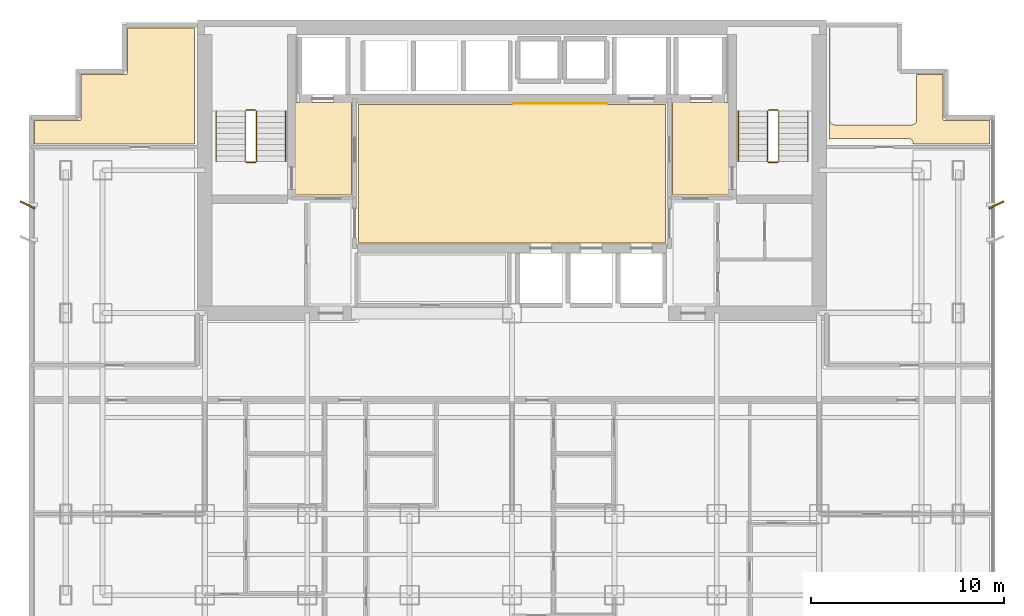
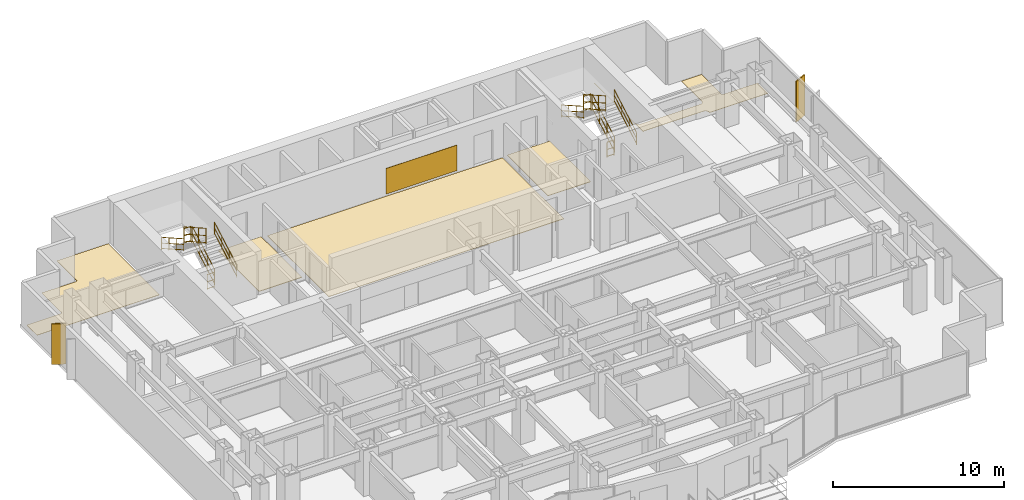
# One storey, part 12 of 12: 12 railings, 6 coverings, 2 shading devices.
"""IFC4 building model written with IfcOpenShell, lengths in metres."""

from ifc_helpers import new_model, si_unit, direction, frame, origin, origin_2d, place, context, subcontext, project, spatial, polyline, rectangle, circle, outline, extrude, source, transform, mapped, material, layer, layer_set, type_object, element, save


model = new_model("IFC4")

# Units and contexts
model_context = context("Model", 3, precision=1e-05, world=origin(), true_north=direction((0.0, 1.0)))
body_context = subcontext(model_context, "Body", "Model", "MODEL_VIEW")
ifc_project = project(units=[si_unit("LENGTHUNIT", "METRE"), si_unit("AREAUNIT", "SQUARE_METRE"), si_unit("VOLUMEUNIT", "CUBIC_METRE"), si_unit("PLANEANGLEUNIT", "RADIAN"), si_unit("MASSUNIT", "GRAM", prefix="KILO")], contexts=[model_context])

# Site, building, storey
site_placement = place(None, origin())
site = spatial("IfcSite", under=ifc_project, at=site_placement, CompositionType="ELEMENT")
building_placement = place(site_placement, origin())
building = spatial("IfcBuilding", under=site, at=building_placement, Name="Qianlan Lanfeng Residences", CompositionType="ELEMENT")
storey_placement = place(building_placement, frame((0.0, 0.0, 85.0)))
storey = spatial("IfcBuildingStorey", under=building, at=storey_placement, Name="L22", CompositionType="ELEMENT", Elevation=85.0)

# Coverings
ifc_material_1 = material(Name="Anodised Bronze Feature Wall Cladding")
ifc_layer_1 = layer(ifc_material_1, 0.02490234375)
ifc_layer_set_1 = layer_set([ifc_layer_1], Name="Anodised Bronze Feature Wall Cladding")
covering_type_1 = type_object("IfcCoveringType", Name="CLD-BRZ-25", PredefinedType="CLADDING", material=ifc_layer_set_1)
covering_1_placement = place(storey_placement, frame((0.0, 0.0, 0.14990234375)))
element("IfcCovering", 1, at=covering_1_placement, inside=storey, type_object=covering_type_1, Name="L22 Lift Lobby Bronze Feature Cladding", PredefinedType="CLADDING", context=body_context, shape_type="SweptSolid", body=[
    extrude(outline(polyline([(26.60009765625, 36.050048828125), (31.39990234375, 36.050048828125), (31.39990234375, 36.074951171875), (26.60009765625, 36.074951171875), (26.60009765625, 36.050048828125)])), origin(), (0.0, 0.0, 1.0), 1.830078125),
])
ifc_material_2 = material(Name="Honed Taitung Granite Stone Flooring", Category="masonry")
ifc_layer_2 = layer(ifc_material_2, 0.030029296875)
ifc_layer_set_2 = layer_set([ifc_layer_2], Name="Honed Taitung Granite Stone Flooring")
covering_type_2 = type_object("IfcCoveringType", Name="FLR-STN-30", PredefinedType="FLOORING", material=ifc_layer_set_2)
covering_2_placement = place(storey_placement, origin())
element("IfcCovering", 2, at=covering_2_placement, inside=storey, type_object=covering_type_2, Name="L22 Firefighting Lift Lobby Floor Finish", PredefinedType="FLOORING", context=body_context, shape_type="SweptSolid", body=[
    extrude(outline(polyline([(15.2900390625, 31.320068359375), (18.179931640625, 31.320068359375), (18.179931640625, 36.110107421875), (15.2900390625, 36.110107421875), (15.2900390625, 31.320068359375)])), origin(), (0.0, 0.0, 1.0), 0.030029296875),
])
covering_3_placement = place(storey_placement, origin())
element("IfcCovering", 3, at=covering_3_placement, inside=storey, type_object=covering_type_2, Name="L22 Firefighting Lift Lobby Floor Finish", PredefinedType="FLOORING", context=body_context, shape_type="SweptSolid", body=[
    extrude(outline(polyline([(34.820068359375, 31.320068359375), (37.7099609375, 31.320068359375), (37.7099609375, 36.110107421875), (34.820068359375, 36.110107421875), (34.820068359375, 31.320068359375)])), origin(), (0.0, 0.0, 1.0), 0.030029296875),
])
covering_4_placement = place(storey_placement, origin())
element("IfcCovering", 4, at=covering_4_placement, inside=storey, type_object=covering_type_2, Name="L22 Lift Lobby Floor Finish", PredefinedType="FLOORING", context=body_context, shape_type="SweptSolid", body=[
    extrude(outline(polyline([(18.550048828125, 28.820068359375), (34.449951171875, 28.820068359375), (34.449951171875, 36.010009765625), (18.550048828125, 36.010009765625), (18.550048828125, 28.820068359375)])), origin(), (0.0, 0.0, 1.0), 0.030029296875),
])
ifc_material_3 = material(Name="Engineered Smoked Oak Timber Flooring", Category="wood")
ifc_layer_3 = layer(ifc_material_3, 0.02197265625)
ifc_layer_set_3 = layer_set([ifc_layer_3], Name="Engineered Smoked Oak Timber Flooring")
covering_type_3 = type_object("IfcCoveringType", Name="FLR-TIM-22", PredefinedType="FLOORING", material=ifc_layer_set_3)
covering_5_placement = place(storey_placement, origin())
element("IfcCovering", 5, at=covering_5_placement, inside=storey, type_object=covering_type_3, Name="L22 Resident Lounge Floor Finish", PredefinedType="FLOORING", context=body_context, shape_type="SweptSolid", body=[
    extrude(outline(polyline([(1.7900390625, 33.949951171875), (10.074951171875, 33.949951171875), (10.074951171875, 39.9599609375), (6.590087890625, 39.9599609375), (6.590087890625, 37.6298828125), (6.590087890625, 37.623046875), (6.589111328125, 37.615966796875), (6.5869140625, 37.610107421875), (6.5849609375, 37.60302734375), (6.58203125, 37.596923828125), (6.577880859375, 37.591064453125), (6.573974609375, 37.5859375), (6.569091796875, 37.5810546875), (6.56396484375, 37.575927734375), (6.55908203125, 37.572021484375), (6.552978515625, 37.568115234375), (6.547119140625, 37.56494140625), (6.5400390625, 37.56298828125), (6.533935546875, 37.56103515625), (6.527099609375, 37.56005859375), (6.52001953125, 37.56005859375), (4.18994140625, 37.56005859375), (4.18994140625, 35.22998046875), (4.18994140625, 35.222900390625), (4.18896484375, 35.216064453125), (4.18701171875, 35.2099609375), (4.18505859375, 35.202880859375), (4.181884765625, 35.197021484375), (4.177978515625, 35.19091796875), (4.174072265625, 35.18603515625), (4.1689453125, 35.180908203125), (4.1640625, 35.176025390625), (4.158935546875, 35.172119140625), (4.153076171875, 35.16796875), (4.14697265625, 35.1650390625), (4.139892578125, 35.1630859375), (4.134033203125, 35.160888671875), (4.126953125, 35.159912109375), (4.1201171875, 35.159912109375), (1.7900390625, 35.159912109375), (1.7900390625, 33.949951171875)])), origin(), (0.0, 0.0, 1.0), 0.02197265625),
])
covering_6_placement = place(storey_placement, origin())
element("IfcCovering", 6, at=covering_6_placement, inside=storey, type_object=covering_type_3, Name="L22 Resident Lounge Floor Finish", PredefinedType="FLOORING", context=body_context, shape_type="SweptSolid", body=[
    extrude(outline(polyline([(42.925048828125, 34.196044921875), (42.94091796875, 34.2080078125), (42.9619140625, 34.219970703125), (42.98388671875, 34.23095703125), (43.007080078125, 34.239013671875), (43.031005859375, 34.2451171875), (43.054931640625, 34.2490234375), (43.080078125, 34.25), (47.02001953125, 34.25), (47.044921875, 34.2490234375), (47.069091796875, 34.2451171875), (47.093017578125, 34.239013671875), (47.115966796875, 34.23095703125), (47.137939453125, 34.219970703125), (47.158935546875, 34.2080078125), (47.178955078125, 34.193115234375), (47.197021484375, 34.177001953125), (47.212890625, 34.158935546875), (47.22802734375, 34.138916015625), (47.239990234375, 34.117919921875), (47.2509765625, 34.095947265625), (47.259033203125, 34.072998046875), (47.264892578125, 34.049072265625), (47.26904296875, 34.02490234375), (47.27001953125, 34.0), (47.27001953125, 33.949951171875), (51.2099609375, 33.949951171875), (51.2099609375, 35.159912109375), (48.8798828125, 35.159912109375), (48.873046875, 35.159912109375), (48.865966796875, 35.160888671875), (48.860107421875, 35.1630859375), (48.85302734375, 35.1650390625), (48.846923828125, 35.16796875), (48.841064453125, 35.172119140625), (48.8359375, 35.176025390625), (48.8310546875, 35.180908203125), (48.825927734375, 35.18603515625), (48.822021484375, 35.19091796875), (48.818115234375, 35.197021484375), (48.81494140625, 35.202880859375), (48.81298828125, 35.2099609375), (48.81103515625, 35.216064453125), (48.81005859375, 35.222900390625), (48.81005859375, 35.22998046875), (48.81005859375, 37.56005859375), (47.449951171875, 37.56005859375), (47.449951171875, 35.199951171875), (47.448974609375, 35.175048828125), (47.445068359375, 35.15087890625), (47.43896484375, 35.126953125), (47.430908203125, 35.10400390625), (47.419921875, 35.08203125), (47.407958984375, 35.06103515625), (47.39306640625, 35.041015625), (47.376953125, 35.02294921875), (47.35888671875, 35.007080078125), (47.339111328125, 34.991943359375), (47.318115234375, 34.97998046875), (47.2958984375, 34.968994140625), (47.27294921875, 34.9609375), (47.2490234375, 34.955078125), (47.22509765625, 34.950927734375), (47.199951171875, 34.949951171875), (43.199951171875, 34.949951171875), (43.175048828125, 34.950927734375), (43.15087890625, 34.955078125), (43.126953125, 34.9609375), (43.10400390625, 34.968994140625), (43.08203125, 34.97998046875), (43.06103515625, 34.991943359375), (43.041015625, 35.007080078125), (43.02294921875, 35.02294921875), (43.007080078125, 35.041015625), (42.991943359375, 35.06103515625), (42.97998046875, 35.08203125), (42.968994140625, 35.10400390625), (42.9609375, 35.126953125), (42.955078125, 35.15087890625), (42.950927734375, 35.175048828125), (42.949951171875, 35.199951171875), (42.949951171875, 39.9599609375), (42.925048828125, 39.9599609375), (42.925048828125, 34.196044921875)])), origin(), (0.0, 0.0, 1.0), 0.02197265625),
])

# Railings
ifc_material_4 = material(Name="Painted Galvanised Steel Guardrail", Category="steel")
railing_type_1 = type_object("IfcRailingType", Name="GR-ST-1120", PredefinedType="GUARDRAIL", material=ifc_material_4)
railing_1_placement = place(storey_placement, frame((13.27001953125, 33.050048828125, 0.1650390625)))
element("IfcRailing", 7, at=railing_1_placement, inside=storey, type_object=railing_type_1, Name="L22 ST-1 stair guard 1", PredefinedType="GUARDRAIL", context=body_context, shape_type="SweptSolid", body=[
    extrude(circle(Radius=0.02392578125, at=origin_2d()), frame((0.0, 0.0, 0.083984375), z_axis=(0.0, 0.869172267526, 0.494509422927), x_axis=(-1.0, 0.0, 0.0)), (0.0, 0.0, 1.0), 3.002685546875),
    extrude(circle(Radius=0.02392578125, at=origin_2d()), frame((0.0, 0.0, 0.58251953125), z_axis=(0.0, 0.869172267526, 0.494509422927), x_axis=(-1.0, 0.0, 0.0)), (0.0, 0.0, 1.0), 3.002685546875),
    extrude(circle(Radius=0.02392578125, at=origin_2d()), frame((0.0, 0.0, 1.09619140625), z_axis=(0.0, 0.869172267526, 0.494509422927), x_axis=(-1.0, 0.0, 0.0)), (0.0, 0.0, 1.0), 3.002685546875),
    extrude(circle(Radius=0.02099609375, at=origin_2d()), origin(), (0.0, 0.0, 1.0), 1.072021484375),
    extrude(circle(Radius=0.02099609375, at=origin_2d()), frame((0.0, 0.869873046875, 0.494873046875)), (0.0, 0.0, 1.0), 1.072021484375),
    extrude(circle(Radius=0.02099609375, at=origin_2d()), frame((0.0, 1.739990234375, 0.989990234375)), (0.0, 0.0, 1.0), 1.072021484375),
    extrude(circle(Radius=0.02099609375, at=origin_2d()), frame((0.0, 2.60986328125, 1.48486328125)), (0.0, 0.0, 1.0), 1.072021484375),
])
railing_2_placement = place(storey_placement, frame((13.219970703125, 35.7099609375, 1.64990234375)))
element("IfcRailing", 8, at=railing_2_placement, inside=storey, type_object=railing_type_1, Name="L22 ST-1 stair guard 2", PredefinedType="GUARDRAIL", context=body_context, shape_type="SweptSolid", body=[
    extrude(circle(Radius=0.02392578125, at=origin_2d()), frame((0.0, 0.0, 0.083984375), z_axis=(-1.0, 0.0, 0.0), x_axis=(0.0, -1.0, 0.0)), (0.0, 0.0, 1.0), 0.47998046875),
    extrude(circle(Radius=0.02392578125, at=origin_2d()), frame((0.0, 0.0, 0.58251953125), z_axis=(-1.0, 0.0, 0.0), x_axis=(0.0, -1.0, 0.0)), (0.0, 0.0, 1.0), 0.47998046875),
    extrude(circle(Radius=0.02392578125, at=origin_2d()), frame((0.0, 0.0, 1.09619140625), z_axis=(-1.0, 0.0, 0.0), x_axis=(0.0, -1.0, 0.0)), (0.0, 0.0, 1.0), 0.47998046875),
    extrude(circle(Radius=0.02099609375, at=origin_2d()), origin(), (0.0, 0.0, 1.0), 1.072021484375),
    extrude(circle(Radius=0.02099609375, at=origin_2d()), frame((-0.47998046875, 0.0, 0.0)), (0.0, 0.0, 1.0), 1.072021484375),
])
railing_3_placement = place(storey_placement, frame((12.68994140625, 35.659912109375, 1.81494140625)))
element("IfcRailing", 9, at=railing_3_placement, inside=storey, type_object=railing_type_1, Name="L22 ST-1 stair guard 3", PredefinedType="GUARDRAIL", context=body_context, shape_type="SweptSolid", body=[
    extrude(circle(Radius=0.02392578125, at=origin_2d()), frame((0.0, 0.0, 0.083984375), z_axis=(0.0, -0.869137319866, 0.494570843475), x_axis=(1.0, 0.0, 0.0)), (0.0, 0.0, 1.0), 3.0029296875),
    extrude(circle(Radius=0.02392578125, at=origin_2d()), frame((0.0, 0.0, 0.58251953125), z_axis=(0.0, -0.869137319866, 0.494570843475), x_axis=(1.0, 0.0, 0.0)), (0.0, 0.0, 1.0), 3.0029296875),
    extrude(circle(Radius=0.02392578125, at=origin_2d()), frame((0.0, 0.0, 1.09619140625), z_axis=(0.0, -0.869137319866, 0.494570843475), x_axis=(1.0, 0.0, 0.0)), (0.0, 0.0, 1.0), 3.0029296875),
    extrude(circle(Radius=0.02099609375, at=origin_2d()), origin(), (0.0, 0.0, 1.0), 1.072021484375),
    extrude(circle(Radius=0.02099609375, at=origin_2d()), frame((0.0, -0.869873046875, 0.4951171875)), (0.0, 0.0, 1.0), 1.072021484375),
    extrude(circle(Radius=0.02099609375, at=origin_2d()), frame((0.0, -1.739990234375, 0.989990234375)), (0.0, 0.0, 1.0), 1.072021484375),
    extrude(circle(Radius=0.02099609375, at=origin_2d()), frame((0.0, -2.60986328125, 1.485107421875)), (0.0, 0.0, 1.0), 1.072021484375),
])
railing_4_placement = place(storey_placement, frame((13.219970703125, 33.0, 0.0)))
element("IfcRailing", 10, at=railing_4_placement, inside=storey, type_object=railing_type_1, Name="L22 ST-1 stair guard 4", PredefinedType="GUARDRAIL", context=body_context, shape_type="SweptSolid", body=[
    extrude(circle(Radius=0.02392578125, at=origin_2d()), frame((0.0, 0.0, 0.083984375), z_axis=(-1.0, 0.0, 0.0), x_axis=(0.0, -1.0, 0.0)), (0.0, 0.0, 1.0), 0.47998046875),
    extrude(circle(Radius=0.02392578125, at=origin_2d()), frame((0.0, 0.0, 0.58251953125), z_axis=(-1.0, 0.0, 0.0), x_axis=(0.0, -1.0, 0.0)), (0.0, 0.0, 1.0), 0.47998046875),
    extrude(circle(Radius=0.02392578125, at=origin_2d()), frame((0.0, 0.0, 1.09619140625), z_axis=(-1.0, 0.0, 0.0), x_axis=(0.0, -1.0, 0.0)), (0.0, 0.0, 1.0), 0.47998046875),
    extrude(circle(Radius=0.02099609375, at=origin_2d()), origin(), (0.0, 0.0, 1.0), 1.072021484375),
    extrude(circle(Radius=0.02099609375, at=origin_2d()), frame((-0.47998046875, 0.0, 0.0)), (0.0, 0.0, 1.0), 1.072021484375),
])
railing_5_placement = place(storey_placement, frame((40.31005859375, 33.050048828125, 0.1650390625)))
element("IfcRailing", 11, at=railing_5_placement, inside=storey, type_object=railing_type_1, Name="L22 ST-2 stair guard 1", PredefinedType="GUARDRAIL", context=body_context, shape_type="SweptSolid", body=[
    extrude(circle(Radius=0.02392578125, at=origin_2d()), frame((0.0, 0.0, 0.083984375), z_axis=(0.0, 0.869172267526, 0.494509422927), x_axis=(-1.0, 0.0, 0.0)), (0.0, 0.0, 1.0), 3.002685546875),
    extrude(circle(Radius=0.02392578125, at=origin_2d()), frame((0.0, 0.0, 0.58251953125), z_axis=(0.0, 0.869172267526, 0.494509422927), x_axis=(-1.0, 0.0, 0.0)), (0.0, 0.0, 1.0), 3.002685546875),
    extrude(circle(Radius=0.02392578125, at=origin_2d()), frame((0.0, 0.0, 1.09619140625), z_axis=(0.0, 0.869172267526, 0.494509422927), x_axis=(-1.0, 0.0, 0.0)), (0.0, 0.0, 1.0), 3.002685546875),
    extrude(circle(Radius=0.02099609375, at=origin_2d()), origin(), (0.0, 0.0, 1.0), 1.072021484375),
    extrude(circle(Radius=0.02099609375, at=origin_2d()), frame((0.0, 0.869873046875, 0.494873046875)), (0.0, 0.0, 1.0), 1.072021484375),
    extrude(circle(Radius=0.02099609375, at=origin_2d()), frame((0.0, 1.739990234375, 0.989990234375)), (0.0, 0.0, 1.0), 1.072021484375),
    extrude(circle(Radius=0.02099609375, at=origin_2d()), frame((0.0, 2.60986328125, 1.48486328125)), (0.0, 0.0, 1.0), 1.072021484375),
])
railing_6_placement = place(storey_placement, frame((40.260009765625, 35.7099609375, 1.64990234375)))
element("IfcRailing", 12, at=railing_6_placement, inside=storey, type_object=railing_type_1, Name="L22 ST-2 stair guard 2", PredefinedType="GUARDRAIL", context=body_context, shape_type="SweptSolid", body=[
    extrude(circle(Radius=0.02392578125, at=origin_2d()), frame((0.0, 0.0, 0.083984375), z_axis=(-1.0, 0.0, 0.0), x_axis=(0.0, -1.0, 0.0)), (0.0, 0.0, 1.0), 0.47998046875),
    extrude(circle(Radius=0.02392578125, at=origin_2d()), frame((0.0, 0.0, 0.58251953125), z_axis=(-1.0, 0.0, 0.0), x_axis=(0.0, -1.0, 0.0)), (0.0, 0.0, 1.0), 0.47998046875),
    extrude(circle(Radius=0.02392578125, at=origin_2d()), frame((0.0, 0.0, 1.09619140625), z_axis=(-1.0, 0.0, 0.0), x_axis=(0.0, -1.0, 0.0)), (0.0, 0.0, 1.0), 0.47998046875),
    extrude(circle(Radius=0.02099609375, at=origin_2d()), origin(), (0.0, 0.0, 1.0), 1.072021484375),
    extrude(circle(Radius=0.02099609375, at=origin_2d()), frame((-0.47998046875, 0.0, 0.0)), (0.0, 0.0, 1.0), 1.072021484375),
])
railing_7_placement = place(storey_placement, frame((39.72998046875, 35.659912109375, 1.81494140625)))
element("IfcRailing", 13, at=railing_7_placement, inside=storey, type_object=railing_type_1, Name="L22 ST-2 stair guard 3", PredefinedType="GUARDRAIL", context=body_context, shape_type="SweptSolid", body=[
    extrude(circle(Radius=0.02392578125, at=origin_2d()), frame((0.0, 0.0, 0.083984375), z_axis=(0.0, -0.869137319866, 0.494570843475), x_axis=(1.0, 0.0, 0.0)), (0.0, 0.0, 1.0), 3.0029296875),
    extrude(circle(Radius=0.02392578125, at=origin_2d()), frame((0.0, 0.0, 0.58251953125), z_axis=(0.0, -0.869137319866, 0.494570843475), x_axis=(1.0, 0.0, 0.0)), (0.0, 0.0, 1.0), 3.0029296875),
    extrude(circle(Radius=0.02392578125, at=origin_2d()), frame((0.0, 0.0, 1.09619140625), z_axis=(0.0, -0.869137319866, 0.494570843475), x_axis=(1.0, 0.0, 0.0)), (0.0, 0.0, 1.0), 3.0029296875),
    extrude(circle(Radius=0.02099609375, at=origin_2d()), origin(), (0.0, 0.0, 1.0), 1.072021484375),
    extrude(circle(Radius=0.02099609375, at=origin_2d()), frame((0.0, -0.869873046875, 0.4951171875)), (0.0, 0.0, 1.0), 1.072021484375),
    extrude(circle(Radius=0.02099609375, at=origin_2d()), frame((0.0, -1.739990234375, 0.989990234375)), (0.0, 0.0, 1.0), 1.072021484375),
    extrude(circle(Radius=0.02099609375, at=origin_2d()), frame((0.0, -2.60986328125, 1.485107421875)), (0.0, 0.0, 1.0), 1.072021484375),
])
railing_8_placement = place(storey_placement, frame((40.260009765625, 33.0, 0.0)))
element("IfcRailing", 14, at=railing_8_placement, inside=storey, type_object=railing_type_1, Name="L22 ST-2 stair guard 4", PredefinedType="GUARDRAIL", context=body_context, shape_type="SweptSolid", body=[
    extrude(circle(Radius=0.02392578125, at=origin_2d()), frame((0.0, 0.0, 0.083984375), z_axis=(-1.0, 0.0, 0.0), x_axis=(0.0, -1.0, 0.0)), (0.0, 0.0, 1.0), 0.47998046875),
    extrude(circle(Radius=0.02392578125, at=origin_2d()), frame((0.0, 0.0, 0.58251953125), z_axis=(-1.0, 0.0, 0.0), x_axis=(0.0, -1.0, 0.0)), (0.0, 0.0, 1.0), 0.47998046875),
    extrude(circle(Radius=0.02392578125, at=origin_2d()), frame((0.0, 0.0, 1.09619140625), z_axis=(-1.0, 0.0, 0.0), x_axis=(0.0, -1.0, 0.0)), (0.0, 0.0, 1.0), 0.47998046875),
    extrude(circle(Radius=0.02099609375, at=origin_2d()), origin(), (0.0, 0.0, 1.0), 1.072021484375),
    extrude(circle(Radius=0.02099609375, at=origin_2d()), frame((-0.47998046875, 0.0, 0.0)), (0.0, 0.0, 1.0), 1.072021484375),
])
ifc_material_5 = material(Name="Brushed Stainless Steel Handrail", Category="steel")
railing_type_2 = type_object("IfcRailingType", Name="HR-ST-920", PredefinedType="HANDRAIL", material=ifc_material_5)
railing_9_placement = place(storey_placement, frame((14.77001953125, 33.050048828125, 0.1650390625)))
element("IfcRailing", 15, at=railing_9_placement, inside=storey, type_object=railing_type_2, Name="L22 ST-1 stair handrail 1", PredefinedType="HANDRAIL", context=body_context, shape_type="SweptSolid", body=[
    extrude(circle(Radius=0.02392578125, at=origin_2d()), frame((0.0, 0.0, 0.083984375), z_axis=(0.0, 0.869172267526, 0.494509422927), x_axis=(-1.0, 0.0, 0.0)), (0.0, 0.0, 1.0), 3.002685546875),
    extrude(circle(Radius=0.02392578125, at=origin_2d()), frame((0.0, 0.0, 0.468017578125), z_axis=(0.0, 0.869172267526, 0.494509422927), x_axis=(-1.0, 0.0, 0.0)), (0.0, 0.0, 1.0), 3.002685546875),
    extrude(circle(Radius=0.02392578125, at=origin_2d()), frame((0.0, 0.0, 0.8759765625), z_axis=(0.0, 0.869172267526, 0.494509422927), x_axis=(-1.0, 0.0, 0.0)), (0.0, 0.0, 1.0), 3.002685546875),
    extrude(circle(Radius=0.02099609375, at=origin_2d()), origin(), (0.0, 0.0, 1.0), 0.851806640625),
    extrude(circle(Radius=0.02099609375, at=origin_2d()), frame((0.0, 0.869873046875, 0.494873046875)), (0.0, 0.0, 1.0), 0.851806640625),
    extrude(circle(Radius=0.02099609375, at=origin_2d()), frame((0.0, 1.739990234375, 0.989990234375)), (0.0, 0.0, 1.0), 0.851806640625),
    extrude(circle(Radius=0.02099609375, at=origin_2d()), frame((0.0, 2.60986328125, 1.48486328125)), (0.0, 0.0, 1.0), 0.851806640625),
])
railing_10_placement = place(storey_placement, frame((11.18994140625, 35.659912109375, 1.81494140625)))
element("IfcRailing", 16, at=railing_10_placement, inside=storey, type_object=railing_type_2, Name="L22 ST-1 stair handrail 2", PredefinedType="HANDRAIL", context=body_context, shape_type="SweptSolid", body=[
    extrude(circle(Radius=0.02392578125, at=origin_2d()), frame((0.0, 0.0, 0.083984375), z_axis=(0.0, -0.869137319866, 0.494570843475), x_axis=(1.0, 0.0, 0.0)), (0.0, 0.0, 1.0), 3.0029296875),
    extrude(circle(Radius=0.02392578125, at=origin_2d()), frame((0.0, 0.0, 0.468017578125), z_axis=(0.0, -0.869137319866, 0.494570843475), x_axis=(1.0, 0.0, 0.0)), (0.0, 0.0, 1.0), 3.0029296875),
    extrude(circle(Radius=0.02392578125, at=origin_2d()), frame((0.0, 0.0, 0.8759765625), z_axis=(0.0, -0.869137319866, 0.494570843475), x_axis=(1.0, 0.0, 0.0)), (0.0, 0.0, 1.0), 3.0029296875),
    extrude(circle(Radius=0.02099609375, at=origin_2d()), origin(), (0.0, 0.0, 1.0), 0.851806640625),
    extrude(circle(Radius=0.02099609375, at=origin_2d()), frame((0.0, -0.869873046875, 0.4951171875)), (0.0, 0.0, 1.0), 0.851806640625),
    extrude(circle(Radius=0.02099609375, at=origin_2d()), frame((0.0, -1.739990234375, 0.989990234375)), (0.0, 0.0, 1.0), 0.851806640625),
    extrude(circle(Radius=0.02099609375, at=origin_2d()), frame((0.0, -2.60986328125, 1.485107421875)), (0.0, 0.0, 1.0), 0.851806640625),
])
railing_11_placement = place(storey_placement, frame((41.81005859375, 33.050048828125, 0.1650390625)))
element("IfcRailing", 17, at=railing_11_placement, inside=storey, type_object=railing_type_2, Name="L22 ST-2 stair handrail 1", PredefinedType="HANDRAIL", context=body_context, shape_type="SweptSolid", body=[
    extrude(circle(Radius=0.02392578125, at=origin_2d()), frame((0.0, 0.0, 0.083984375), z_axis=(0.0, 0.869172267526, 0.494509422927), x_axis=(-1.0, 0.0, 0.0)), (0.0, 0.0, 1.0), 3.002685546875),
    extrude(circle(Radius=0.02392578125, at=origin_2d()), frame((0.0, 0.0, 0.468017578125), z_axis=(0.0, 0.869172267526, 0.494509422927), x_axis=(-1.0, 0.0, 0.0)), (0.0, 0.0, 1.0), 3.002685546875),
    extrude(circle(Radius=0.02392578125, at=origin_2d()), frame((0.0, 0.0, 0.8759765625), z_axis=(0.0, 0.869172267526, 0.494509422927), x_axis=(-1.0, 0.0, 0.0)), (0.0, 0.0, 1.0), 3.002685546875),
    extrude(circle(Radius=0.02099609375, at=origin_2d()), origin(), (0.0, 0.0, 1.0), 0.851806640625),
    extrude(circle(Radius=0.02099609375, at=origin_2d()), frame((0.0, 0.869873046875, 0.494873046875)), (0.0, 0.0, 1.0), 0.851806640625),
    extrude(circle(Radius=0.02099609375, at=origin_2d()), frame((0.0, 1.739990234375, 0.989990234375)), (0.0, 0.0, 1.0), 0.851806640625),
    extrude(circle(Radius=0.02099609375, at=origin_2d()), frame((0.0, 2.60986328125, 1.48486328125)), (0.0, 0.0, 1.0), 0.851806640625),
])
railing_12_placement = place(storey_placement, frame((38.22998046875, 35.659912109375, 1.81494140625)))
element("IfcRailing", 18, at=railing_12_placement, inside=storey, type_object=railing_type_2, Name="L22 ST-2 stair handrail 2", PredefinedType="HANDRAIL", context=body_context, shape_type="SweptSolid", body=[
    extrude(circle(Radius=0.02392578125, at=origin_2d()), frame((0.0, 0.0, 0.083984375), z_axis=(0.0, -0.869137319866, 0.494570843475), x_axis=(1.0, 0.0, 0.0)), (0.0, 0.0, 1.0), 3.0029296875),
    extrude(circle(Radius=0.02392578125, at=origin_2d()), frame((0.0, 0.0, 0.468017578125), z_axis=(0.0, -0.869137319866, 0.494570843475), x_axis=(1.0, 0.0, 0.0)), (0.0, 0.0, 1.0), 3.0029296875),
    extrude(circle(Radius=0.02392578125, at=origin_2d()), frame((0.0, 0.0, 0.8759765625), z_axis=(0.0, -0.869137319866, 0.494570843475), x_axis=(1.0, 0.0, 0.0)), (0.0, 0.0, 1.0), 3.0029296875),
    extrude(circle(Radius=0.02099609375, at=origin_2d()), origin(), (0.0, 0.0, 1.0), 0.851806640625),
    extrude(circle(Radius=0.02099609375, at=origin_2d()), frame((0.0, -0.869873046875, 0.4951171875)), (0.0, 0.0, 1.0), 0.851806640625),
    extrude(circle(Radius=0.02099609375, at=origin_2d()), frame((0.0, -1.739990234375, 0.989990234375)), (0.0, 0.0, 1.0), 0.851806640625),
    extrude(circle(Radius=0.02099609375, at=origin_2d()), frame((0.0, -2.60986328125, 1.485107421875)), (0.0, 0.0, 1.0), 0.851806640625),
])

# Shading devices
ifc_material_6 = material(Name="Anodised Bronze Aluminium Solar Fin", Category="aluminium")
shading_device_type = type_object("IfcShadingDeviceType", Name="FIN-BRZ-850", PredefinedType="SHUTTER", material=ifc_material_6)
shared_shape = source(origin(), body_context, "Body", "SweptSolid", [
    extrude(rectangle(XDim=0.85009765625, YDim=0.080078125, at=origin_2d()), origin(), (0.0, 0.0, 1.0), 2.89990234375),
])
for number, where, z_axis, x_axis, name in (
    (19, (1.429931640625, 30.800048828125, 0.0), (0.0, 0.0, 1.0), (0.898794046299, -0.438371146789, 0.0), "L22 Raked Bronze Solar Fin W2"),
    (20, (51.570068359375, 30.800048828125, 0.0), (0.0, 0.0, 1.0), (0.898794046299, 0.438371146789, 0.0), "L22 Raked Bronze Solar Fin E2"),
):
    element("IfcShadingDevice", number, at=place(storey_placement, frame(where, z_axis=z_axis, x_axis=x_axis)), inside=storey, type_object=shading_device_type, Name=name, PredefinedType="SHUTTER", context=body_context, shape_type="MappedRepresentation", body=[
        mapped(shared_shape, transform((0.0, 0.0, 0.0), scale=1.0)),
    ])

save(model, "model.ifc")
